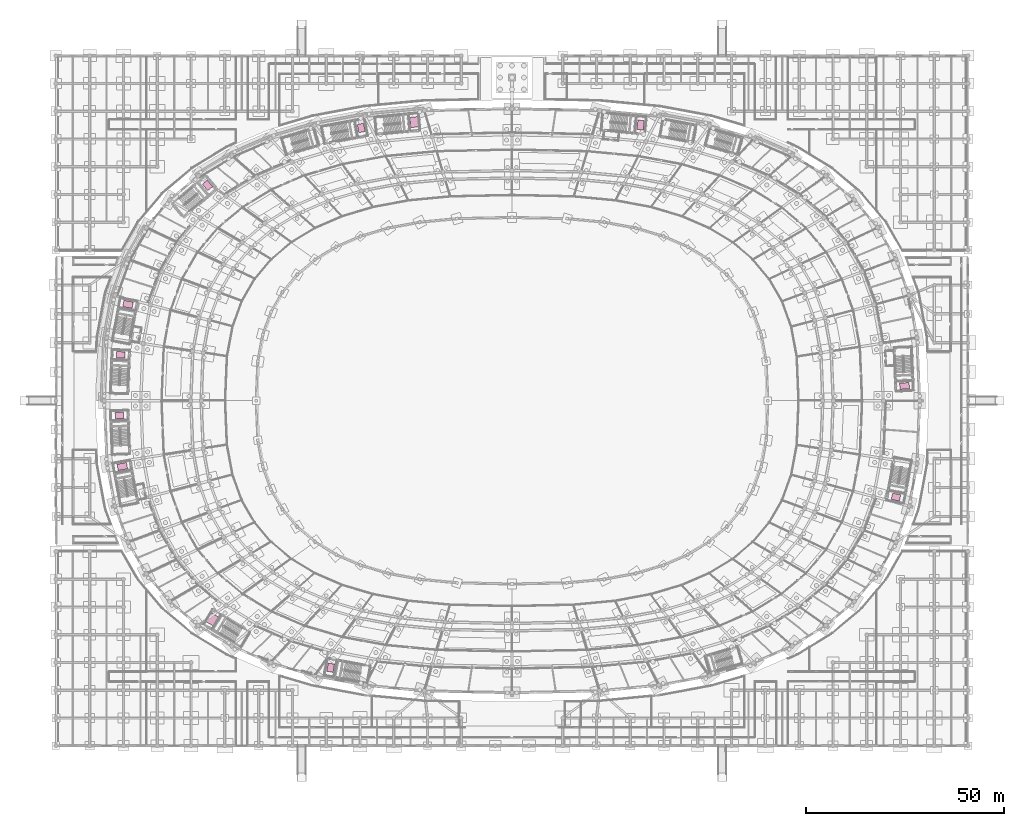
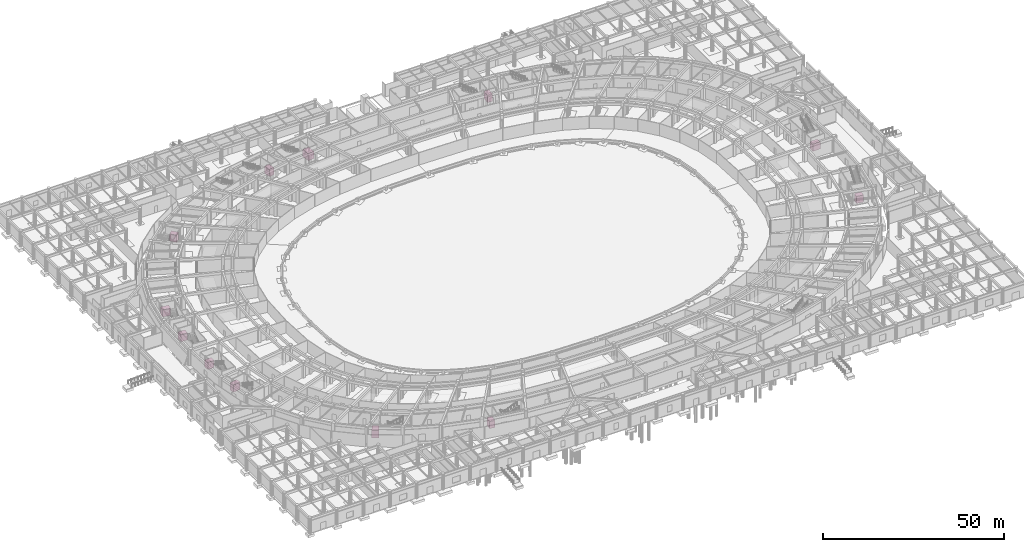
# One storey, part 88 of 88: 12 transport elements.
"""IFC4 building model written with IfcOpenShell, lengths in metres."""

import ifcopenshell
import ifcopenshell.guid

model = None  # the IFC model being written
_history = None  # IfcOwnerHistory: only IFC2X3 demands one
_inside = {}  # id of a spatial element -> (the spatial element, [elements in it])
_under = {}  # id of a project, library or spatial element -> (it, [spatial elements below it])
_declared = {}  # id of a project -> (the project, [libraries it declares])
_typed = {}  # id of a type object -> (the type object, [elements of that type])
_made_of = {}  # id of a material, layer set ... -> (it, [elements and type objects made of it])


def new_model(schema):
    """Start an empty IFC model of exactly this schema.

    Asked for "IFC4X3", IfcOpenShell would pick the latest addendum, in which some entities
    have other attributes; the version numbers below select the first issue.
    IFC2X3 requires an IfcOwnerHistory on every rooted entity: one is made here for all.
    """
    global model, _history
    if schema == "IFC4X3":
        model = ifcopenshell.file(schema_version=(4, 3, 0, 0))
    else:
        model = ifcopenshell.file(schema=schema)
    _inside.clear()
    _under.clear()
    _declared.clear()
    _typed.clear()
    _made_of.clear()
    _history = None
    if model.schema == "IFC2X3":
        org = make("IfcOrganization", Name="unknown")
        user = make(
            "IfcPersonAndOrganization",
            ThePerson=make("IfcPerson", FamilyName="unknown"),
            TheOrganization=org,
        )
        app = make(
            "IfcApplication",
            ApplicationDeveloper=org,
            Version="unknown",
            ApplicationFullName="unknown",
            ApplicationIdentifier="unknown",
        )
        _history = make(
            "IfcOwnerHistory",
            OwningUser=user,
            OwningApplication=app,
            ChangeAction="ADDED",
            CreationDate=0,
        )
    return model


def make(cls, **values):
    """One entity of the class cls with the attributes given. An attribute that is None is left unset."""
    return model.create_entity(
        cls, **{name: value for name, value in values.items() if value is not None}
    )


def rooted(cls, **values):
    """An entity with a GlobalId (a new one), such as an element, a storey or a relation."""
    return make(cls, GlobalId=ifcopenshell.guid.new(), OwnerHistory=_history, **values)


def si_unit(unit_type, name, prefix=None):
    """IfcSIUnit, for example si_unit("LENGTHUNIT", "METRE", prefix="MILLI")."""
    return make("IfcSIUnit", UnitType=unit_type, Prefix=prefix, Name=name)


def assignment(units):
    """IfcUnitAssignment: the units of a project."""
    return None if units is None else make("IfcUnitAssignment", Units=units)


def point(xyz):
    """IfcCartesianPoint."""
    return None if xyz is None else make("IfcCartesianPoint", Coordinates=xyz)


def direction(xyz):
    """IfcDirection."""
    return None if xyz is None else make("IfcDirection", DirectionRatios=xyz)


def frame(location, z_axis=None, x_axis=None):
    """IfcAxis2Placement3D, a coordinate frame: its origin and axes. An axis left out is left unset."""
    return make(
        "IfcAxis2Placement3D",
        Location=point(location),
        Axis=direction(z_axis),
        RefDirection=direction(x_axis),
    )


def frame_2d(location, x_axis=None):
    """IfcAxis2Placement2D, a coordinate frame in the plane: its origin and x axis."""
    return make(
        "IfcAxis2Placement2D", Location=point(location), RefDirection=direction(x_axis)
    )


def origin():
    """The frame at (0, 0, 0) with its axes left unset."""
    return frame((0.0, 0.0, 0.0))


def origin_2d():
    """The frame at (0, 0) in the plane with its x axis left unset."""
    return frame_2d((0.0, 0.0))


def place(relative_to, where):
    """IfcLocalPlacement: puts the frame where relative to a parent placement (None: the world)."""
    return make(
        "IfcLocalPlacement", PlacementRelTo=relative_to, RelativePlacement=where
    )


def context(
    kind, dimensions, precision=None, world=None, true_north=None, identifier=None
):
    """IfcGeometricRepresentationContext, for example the 3D "Model" context."""
    return make(
        "IfcGeometricRepresentationContext",
        ContextIdentifier=identifier,
        ContextType=kind,
        CoordinateSpaceDimension=dimensions,
        Precision=precision,
        WorldCoordinateSystem=world,
        TrueNorth=true_north,
    )


def subcontext(parent, identifier, kind, view, scale=None):
    """IfcGeometricRepresentationSubContext, for example "Body" below "Model"."""
    return make(
        "IfcGeometricRepresentationSubContext",
        ContextIdentifier=identifier,
        ContextType=kind,
        ParentContext=parent,
        TargetScale=scale,
        TargetView=view,
    )


def project(units=None, contexts=None):
    """IfcProject with its units and contexts."""
    return rooted(
        "IfcProject",
        Name="project",
        RepresentationContexts=contexts,
        UnitsInContext=assignment(units),
    )


def spatial(cls, under=None, at=None, **own):
    """A site, building, storey or space (cls), placed at a placement, below another one or the project."""
    s = rooted(cls, ObjectPlacement=at, **own)
    if under is not None:
        _under.setdefault(under.id(), (under, []))[1].append(s)
    return s


def profile(cls, at=None, kind="AREA", **sizes):
    """A parametric profile (cls). Its sizes go by their IFC names, for example OverallWidth=200.0."""
    return make(cls, ProfileType=kind, Position=at, **sizes)


def rectangle(**sizes):
    """IfcRectangleProfileDef."""
    return profile("IfcRectangleProfileDef", **sizes)


def extrude(swept, where, along, depth):
    """IfcExtrudedAreaSolid: the profile swept, set in the frame where, extruded along a direction by depth."""
    return make(
        "IfcExtrudedAreaSolid",
        SweptArea=swept,
        Position=where,
        ExtrudedDirection=direction(along),
        Depth=depth,
    )


def shape(context_of_items, identifier, shape_type, items):
    """IfcShapeRepresentation: the items that make up one representation, for example the "Body"."""
    return make(
        "IfcShapeRepresentation",
        ContextOfItems=context_of_items,
        RepresentationIdentifier=identifier,
        RepresentationType=shape_type,
        Items=items,
    )


def material(Name=None, Category=None):
    """IfcMaterial."""
    return make("IfcMaterial", Name=Name, Category=Category)


def made_of(thing, what):
    """Note that an element or type object is made of a material, layer set ...; save() writes the relation."""
    if what is not None:
        _made_of.setdefault(what.id(), (what, []))[1].append(thing)
    return thing


def type_object(cls, material=None, **own):
    """A type object (cls), such as IfcWallType, which elements share."""
    return made_of(rooted(cls, **own), material)


def element(
    cls,
    number,
    at=None,
    inside=None,
    cuts=None,
    type_object=None,
    material=None,
    context=None,
    identifier="Body",
    shape_type=None,
    held_by="IfcProductDefinitionShape",
    body=None,
    shapes=None,
    **own,
):
    """One element of the class cls, such as IfcWall. Its Tag is "e" and its number.

    at: its placement. inside: the storey or other place that contains it. cuts: it is an
    opening in that element (IfcRelVoidsElement). A single representation is given by context,
    identifier, shape_type and body (its items); several are given by shapes. held_by: the class
    of the entity that holds the representations. save() writes the other relations.
    """
    e = rooted(cls, Tag="e%d" % number, ObjectPlacement=at, **own)
    if body is not None:
        shapes = [shape(context, identifier, shape_type, body)]
    if shapes is not None:
        e.Representation = make(held_by, Representations=shapes)
    if inside is not None:
        _inside.setdefault(inside.id(), (inside, []))[1].append(e)
    if cuts is not None:
        rooted(
            "IfcRelVoidsElement", RelatingBuildingElement=cuts, RelatedOpeningElement=e
        )
    if type_object is not None:
        _typed.setdefault(type_object.id(), (type_object, []))[1].append(e)
    return made_of(e, material)


def aggregate(whole, parts):
    """IfcRelAggregates: a whole, such as a stair, and the parts it consists of."""
    return rooted("IfcRelAggregates", RelatingObject=whole, RelatedObjects=parts)


def save(model, path):
    """Write the relations noted so far, then the file.

    IfcRelAggregates (storeys below a building ...), IfcRelContainedInSpatialStructure (elements
    in a storey), IfcRelDefinesByType, IfcRelAssociatesMaterial and IfcRelDeclares: one each for
    every whole, place, type object, material and project.
    """
    for whole, parts in _under.values():
        aggregate(whole, parts)
    for where, things in _inside.values():
        rooted(
            "IfcRelContainedInSpatialStructure",
            RelatedElements=things,
            RelatingStructure=where,
        )
    for kind, things in _typed.values():
        rooted("IfcRelDefinesByType", RelatedObjects=things, RelatingType=kind)
    for what, things in _made_of.values():
        rooted("IfcRelAssociatesMaterial", RelatedObjects=things, RelatingMaterial=what)
    for by, libraries in _declared.values():
        rooted("IfcRelDeclares", RelatingContext=by, RelatedDefinitions=libraries)
    model.write(path)


model = new_model("IFC4")

# Units and contexts
model_context = context("Model", 3, precision=1e-05, world=origin(), true_north=direction((0.0, 1.0)))
body_context = subcontext(model_context, "Body", "Model", "MODEL_VIEW")
ifc_project = project(units=[si_unit("LENGTHUNIT", "METRE"), si_unit("AREAUNIT", "SQUARE_METRE"), si_unit("VOLUMEUNIT", "CUBIC_METRE"), si_unit("PLANEANGLEUNIT", "RADIAN"), si_unit("MASSUNIT", "GRAM", prefix="KILO")], contexts=[model_context])

# Site, building, storey
site_placement = place(None, origin())
site = spatial("IfcSite", under=ifc_project, at=site_placement, CompositionType="ELEMENT")
building_placement = place(site_placement, origin())
building = spatial("IfcBuilding", under=site, at=building_placement, Name="Mphavela Belvedere Stadium", CompositionType="ELEMENT")
storey_placement = place(building_placement, origin())
storey = spatial("IfcBuildingStorey", under=building, at=storey_placement, Name="L00", CompositionType="ELEMENT", Elevation=0.0)

# Transport elements
ifc_material_1 = material(Name="Stainless steel firefighting lift car", Category="steel")
transport_element_type_1 = type_object("IfcTransportElementType", Name="LFT-FIRE-1600", PredefinedType="ELEVATOR", material=ifc_material_1)
for number, where, z_axis, x_axis, name in (
    (1, (213.978271484375, 90.721435546875, 0.0), (0.0, 0.0, 1.0), (0.041875653729, -0.999122830099, 0.0), "Stadium elevator FL01 (firefighting)"),
    (2, (147.435302734375, 156.509765625, 0.0), (0.0, 0.0, 1.0), (0.995479460536, -0.094977069084, 0.0), "Stadium elevator FL02 (firefighting)"),
    (3, (18.181640625, 111.298095703125, 0.0), (0.0, 0.0, 1.0), (0.182578735093, 0.983191235463, 0.0), "Stadium elevator FL03 (firefighting)"),
    (4, (16.750244140625, 70.41015625, 0.0), (0.0, 0.0, 1.0), (-0.182578735093, 0.983191235463, 0.0), "Stadium elevator FL04 (firefighting)"),
):
    element("IfcTransportElement", number, at=place(storey_placement, frame(where, z_axis=z_axis, x_axis=x_axis)), inside=storey, type_object=transport_element_type_1, Name=name, PredefinedType="ELEVATOR", context=body_context, shape_type="SweptSolid", body=[
        extrude(rectangle(XDim=1.60009765625, YDim=2.39990234375, at=origin_2d()), origin(), (0.0, 0.0, 1.0), 2.39990234375),
    ])
ifc_material_2 = material(Name="Heavy-duty stainless steel goods lift car", Category="steel")
transport_element_type_2 = type_object("IfcTransportElementType", Name="LFT-GOODS-2500", PredefinedType="ELEVATOR", material=ifc_material_2)
for number, where, z_axis, x_axis, name in (
    (5, (90.369384765625, 157.25439453125, 0.0), (0.0, 0.0, 1.0), (0.995479460536, 0.094977069084, 0.0), "Stadium elevator GL01 (goods)"),
    (6, (39.410888671875, 31.875, 0.0), (0.0, 0.0, 1.0), (-0.854368143929, 0.519668235165, 0.0), "Stadium elevator GL02 (goods)"),
):
    element("IfcTransportElement", number, at=place(storey_placement, frame(where, z_axis=z_axis, x_axis=x_axis)), inside=storey, type_object=transport_element_type_2, Name=name, PredefinedType="ELEVATOR", context=body_context, shape_type="SweptSolid", body=[
        extrude(rectangle(XDim=2.0, YDim=2.60009765625, at=origin_2d()), origin(), (0.0, 0.0, 1.0), 2.39990234375),
    ])
ifc_material_3 = material(Name="Brushed bronze passenger lift car")
transport_element_type_3 = type_object("IfcTransportElementType", Name="LFT-PASS-1275", PredefinedType="ELEVATOR", material=ifc_material_3)
for number, where, z_axis, x_axis, name in (
    (7, (76.9736328125, 155.769775390625, 0.0), (0.0, 0.0, 1.0), (0.983095502692, 0.183093507769, 0.0), "Stadium elevator PL01 (passenger)"),
    (8, (38.21484375, 141.2880859375, 0.0), (0.0, 0.0, 1.0), (0.764246456939, 0.644924300253, 0.0), "Stadium elevator PL02 (passenger)"),
    (9, (16.35009765625, 98.5546875, 0.0), (0.0, 0.0, 1.0), (0.041875653729, 0.999122830099, 0.0), "Stadium elevator PL03 (passenger)"),
    (10, (16.021728515625, 83.278564453125, 0.0), (0.0, 0.0, 1.0), (-0.041875653729, 0.999122830099, 0.0), "Stadium elevator PL04 (passenger)"),
    (11, (69.266357421875, 19.665771484375, 0.0), (0.0, 0.0, 1.0), (-0.983095502692, 0.183093507769, 0.0), "Stadium elevator PL05 (passenger)"),
    (12, (211.818359375, 62.701904296875, 0.0), (0.0, 0.0, 1.0), (-0.182578735093, -0.983191235463, 0.0), "Stadium elevator PL06 (passenger)"),
):
    element("IfcTransportElement", number, at=place(storey_placement, frame(where, z_axis=z_axis, x_axis=x_axis)), inside=storey, type_object=transport_element_type_3, Name=name, PredefinedType="ELEVATOR", context=body_context, shape_type="SweptSolid", body=[
        extrude(rectangle(XDim=1.60009765625, YDim=2.10009765625, at=origin_2d()), origin(), (0.0, 0.0, 1.0), 2.39990234375),
    ])

save(model, "model.ifc")
